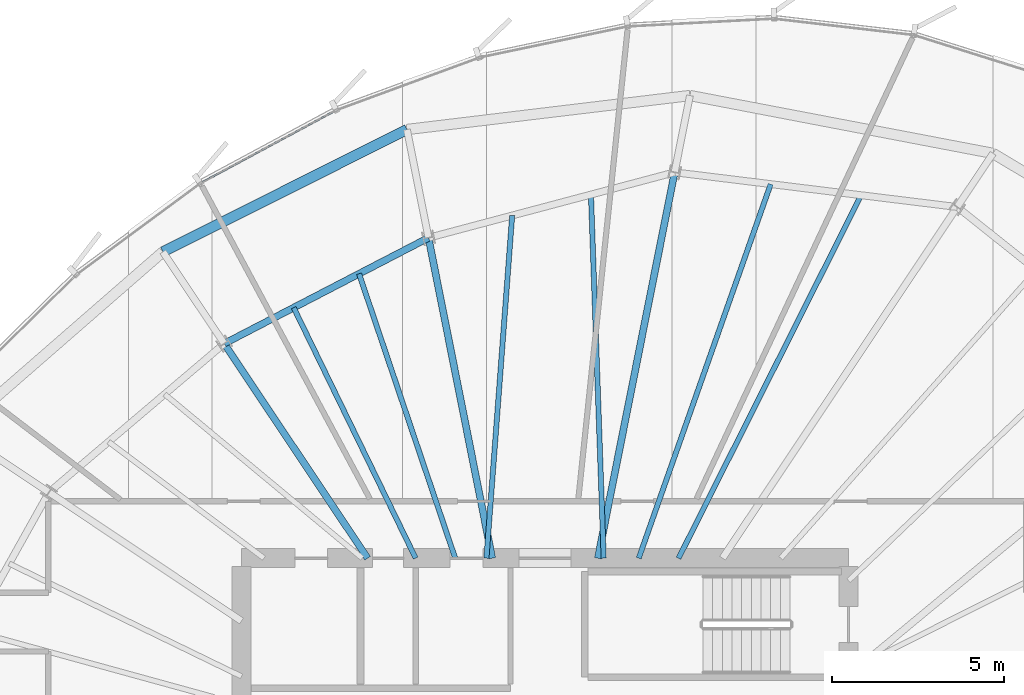
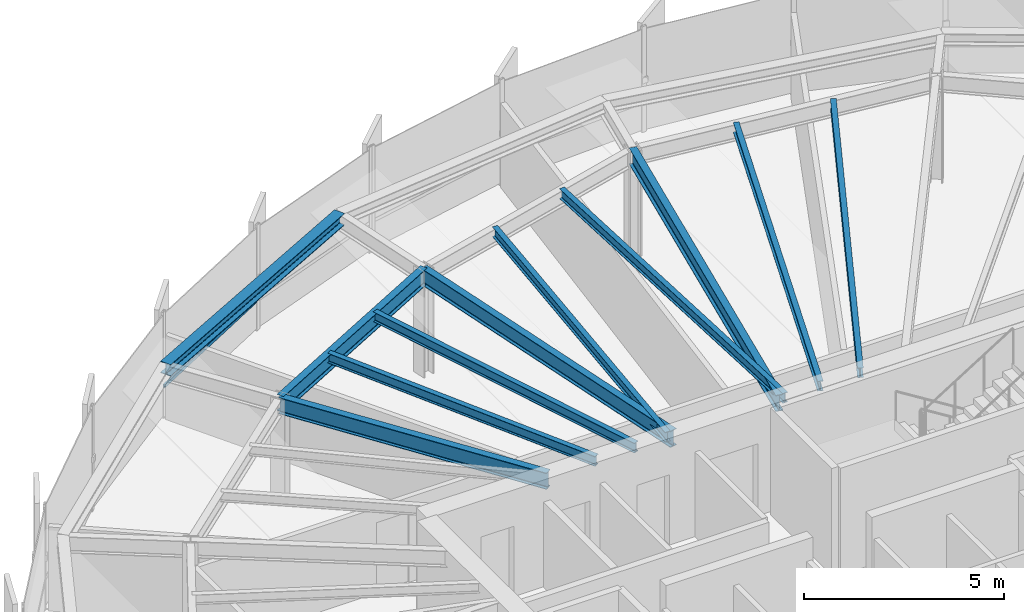
# One storey, part 23 of 36: 11 beams, 1 member, 1 element without a shape of its own.
"""IFC4 building model written with IfcOpenShell, lengths in metres."""

from ifc_helpers import new_model, si_unit, direction, frame, origin, origin_2d, place, context, subcontext, project, spatial, hollow_rectangle, i_section, extrude, source, transform, mapped, material, layer, layer_set, material_profile, profile_set, type_object, element, aggregate, save


model = new_model("IFC4")

# Units and contexts
model_context = context("Model", 3, precision=1e-05, world=origin(), true_north=direction((0.0, 1.0)))
body_context = subcontext(model_context, "Body", "Model", "MODEL_VIEW")
ifc_project = project(units=[si_unit("LENGTHUNIT", "METRE"), si_unit("AREAUNIT", "SQUARE_METRE"), si_unit("VOLUMEUNIT", "CUBIC_METRE"), si_unit("PLANEANGLEUNIT", "RADIAN"), si_unit("MASSUNIT", "GRAM", prefix="KILO"), si_unit("THERMODYNAMICTEMPERATUREUNIT", "KELVIN")], contexts=[model_context])

# Site, building, storey
site_placement = place(None, origin())
site = spatial("IfcSite", under=ifc_project, at=site_placement, CompositionType="ELEMENT")
building_placement = place(site_placement, origin())
building = spatial("IfcBuilding", under=site, at=building_placement, Name="Kethvar Cultural Tower", CompositionType="ELEMENT")
storey_placement = place(building_placement, frame((0.0, 0.0, 197.39990234375)))
storey = spatial("IfcBuildingStorey", under=building, at=storey_placement, Name="L51", CompositionType="ELEMENT", Elevation=197.39990234375)

# Beams
ifc_material_1 = material(Name="Steel S355J2", Category="steel")
ifc_material_profile_1 = material_profile(ifc_material_1, i_section(OverallWidth=0.199951171875, OverallDepth=0.5, WebThickness=0.01025390625, FlangeThickness=0.01611328125, FilletRadius=0.02099609375, at=origin_2d()), Name="Steel S355J2 — IPE500")
ifc_profile_set_1 = profile_set([ifc_material_profile_1], Name="Steel S355J2 — IPE500")
beam_type_1 = type_object("IfcBeamType", Name="BM-IPE500", PredefinedType="BEAM", material=ifc_profile_set_1)
shared_shape_1 = source(origin(), body_context, "Body", "SweptSolid", [
    extrude(i_section(OverallWidth=0.199951171875, OverallDepth=0.5, WebThickness=0.01025390625, FlangeThickness=0.01611328125, FilletRadius=0.02099609375, at=origin_2d()), origin(), (0.0, 0.0, 1.0), 11.40673828125),
])
beam_1_placement = place(storey_placement, frame((48.33154296875, 35.5, 3.008056640625), z_axis=(0.195091138918, 0.980785117911, 0.0), x_axis=(-0.980785117911, 0.195091138918, 0.0)))
element("IfcBeam", 1, at=beam_1_placement, inside=storey, type_object=beam_type_1, Name="L51 Primary Radial Beam RB-04", PredefinedType="BEAM", context=body_context, shape_type="MappedRepresentation", body=[
    mapped(shared_shape_1, transform((0.0, 0.0, 0.0), scale=1.0)),
])
shared_shape_2 = source(origin(), body_context, "Body", "SweptSolid", [
    extrude(i_section(OverallWidth=0.199951171875, OverallDepth=0.5, WebThickness=0.01025390625, FlangeThickness=0.01611328125, FilletRadius=0.02099609375, at=origin_2d()), origin(), (0.0, 0.0, 1.0), 9.47119140625),
])
beam_2_placement = place(storey_placement, frame((45.268310546875, 35.5, 3.008056640625), z_axis=(-0.195079990396, 0.980787335434, 0.0), x_axis=(-0.980787335434, -0.195079990396, 0.0)))
element("IfcBeam", 2, at=beam_2_placement, inside=storey, type_object=beam_type_1, Name="L51 Primary Radial Beam RB-05", PredefinedType="BEAM", context=body_context, shape_type="MappedRepresentation", body=[
    mapped(shared_shape_2, transform((0.0, 0.0, 0.0), scale=1.0)),
])
shared_shape_3 = source(origin(), body_context, "Body", "SweptSolid", [
    extrude(i_section(OverallWidth=0.199951171875, OverallDepth=0.5, WebThickness=0.01025390625, FlangeThickness=0.01611328125, FilletRadius=0.02099609375, at=origin_2d()), origin(), (0.0, 0.0, 1.0), 7.481201171875),
])
beam_3_placement = place(storey_placement, frame((41.655029296875, 35.5, 3.008056640625), z_axis=(-0.55555842186, 0.831477504146, 0.0), x_axis=(-0.831477504146, -0.55555842186, 0.0)))
element("IfcBeam", 3, at=beam_3_placement, inside=storey, type_object=beam_type_1, Name="L51 Primary Radial Beam RB-06", PredefinedType="BEAM", context=body_context, shape_type="MappedRepresentation", body=[
    mapped(shared_shape_3, transform((0.0, 0.0, 0.0), scale=1.0)),
])
ifc_material_profile_2 = material_profile(ifc_material_1, i_section(OverallWidth=0.14990234375, OverallDepth=0.300048828125, WebThickness=0.007080078125, FlangeThickness=0.0107421875, FilletRadius=0.014892578125, at=origin_2d()), Name="Steel S355J2 — IPE300")
ifc_profile_set_2 = profile_set([ifc_material_profile_2], Name="Steel S355J2 — IPE300")
beam_type_2 = type_object("IfcBeamType", Name="BM-J300", PredefinedType="JOIST", material=ifc_profile_set_2)
shared_shape_4 = source(origin(), body_context, "Body", "SweptSolid", [
    extrude(i_section(OverallWidth=0.14990234375, OverallDepth=0.300048828125, WebThickness=0.007080078125, FlangeThickness=0.0107421875, FilletRadius=0.014892578125, at=origin_2d()), origin(), (0.0, 0.0, 1.0), 11.77880859375),
])
beam_4_placement = place(storey_placement, frame((50.671630859375, 35.5, 3.108154296875), z_axis=(0.449218855458, 0.893421748057, 0.0), x_axis=(-0.893421748057, 0.449218855458, 0.0)))
element("IfcBeam", 4, at=beam_4_placement, inside=storey, type_object=beam_type_2, Name="L51 Composite Floor Joist J-03A", PredefinedType="JOIST", context=body_context, shape_type="MappedRepresentation", body=[
    mapped(shared_shape_4, transform((0.0, 0.0, 0.0), scale=1.0)),
])
shared_shape_5 = source(origin(), body_context, "Body", "SweptSolid", [
    extrude(i_section(OverallWidth=0.14990234375, OverallDepth=0.300048828125, WebThickness=0.007080078125, FlangeThickness=0.0107421875, FilletRadius=0.014892578125, at=origin_2d()), origin(), (0.0, 0.0, 1.0), 11.50048828125),
])
beam_5_placement = place(storey_placement, frame((49.51611328125, 35.5, 3.108154296875), z_axis=(0.332655768875, 0.943048322958, 0.0), x_axis=(-0.943048322958, 0.332655768875, 0.0)))
element("IfcBeam", 5, at=beam_5_placement, inside=storey, type_object=beam_type_2, Name="L51 Composite Floor Joist J-03B", PredefinedType="JOIST", context=body_context, shape_type="MappedRepresentation", body=[
    mapped(shared_shape_5, transform((0.0, 0.0, 0.0), scale=1.0)),
])
shared_shape_6 = source(origin(), body_context, "Body", "SweptSolid", [
    extrude(i_section(OverallWidth=0.14990234375, OverallDepth=0.300048828125, WebThickness=0.007080078125, FlangeThickness=0.0107421875, FilletRadius=0.014892578125, at=origin_2d()), origin(), (0.0, 0.0, 1.0), 10.54833984375),
])
beam_6_placement = place(storey_placement, frame((48.5, 35.5, 3.108154296875), z_axis=(-0.035017879941, 0.999386685965, 0.0), x_axis=(-0.999386685965, -0.035017879941, 0.0)))
element("IfcBeam", 6, at=beam_6_placement, inside=storey, type_object=beam_type_2, Name="L51 Composite Floor Joist J-04A", PredefinedType="JOIST", context=body_context, shape_type="MappedRepresentation", body=[
    mapped(shared_shape_6, transform((0.0, 0.0, 0.0), scale=1.0)),
])
shared_shape_7 = source(origin(), body_context, "Body", "SweptSolid", [
    extrude(i_section(OverallWidth=0.14990234375, OverallDepth=0.300048828125, WebThickness=0.007080078125, FlangeThickness=0.0107421875, FilletRadius=0.014892578125, at=origin_2d()), origin(), (0.0, 0.0, 1.0), 9.962646484375),
])
beam_7_placement = place(storey_placement, frame((45.10009765625, 35.5, 3.108154296875), z_axis=(0.074962964429, 0.99718631858, 0.0), x_axis=(-0.99718631858, 0.074962964429, 0.0)))
element("IfcBeam", 7, at=beam_7_placement, inside=storey, type_object=beam_type_2, Name="L51 Composite Floor Joist J-04B", PredefinedType="JOIST", context=body_context, shape_type="MappedRepresentation", body=[
    mapped(shared_shape_7, transform((0.0, 0.0, 0.0), scale=1.0)),
])
shared_shape_8 = source(origin(), body_context, "Body", "SweptSolid", [
    extrude(i_section(OverallWidth=0.199951171875, OverallDepth=0.5, WebThickness=0.01025390625, FlangeThickness=0.01611328125, FilletRadius=0.02099609375, at=origin_2d()), origin(), (0.0, 0.0, 1.0), 6.669921875),
])
beam_8_placement = place(storey_placement, frame((43.420654296875, 44.789306640625, 3.008056640625), z_axis=(-0.887861983948, -0.460109875421, 0.0), x_axis=(0.460109875421, -0.887861983948, 0.0)))
element("IfcBeam", 8, at=beam_8_placement, inside=storey, type_object=beam_type_1, Name="L51 Column Ring Tie Beam CR-05", PredefinedType="BEAM", context=body_context, shape_type="MappedRepresentation", body=[
    mapped(shared_shape_8, transform((0.0, 0.0, 0.0), scale=1.0)),
])
ifc_material_profile_3 = material_profile(ifc_material_1, i_section(OverallWidth=0.300048828125, OverallDepth=0.360107421875, WebThickness=0.012451171875, FlangeThickness=0.0224609375, FilletRadius=0.027099609375, at=origin_2d()), Name="Steel S355J2 — HEB360")
ifc_profile_set_3 = profile_set([ifc_material_profile_3], Name="Steel S355J2 — HEB360")
beam_type_3 = type_object("IfcBeamType", Name="BM-SP360", PredefinedType="SPANDREL", material=ifc_profile_set_3)
shared_shape_9 = source(origin(), body_context, "Body", "SweptSolid", [
    extrude(i_section(OverallWidth=0.300048828125, OverallDepth=0.360107421875, WebThickness=0.012451171875, FlangeThickness=0.0224609375, FilletRadius=0.027099609375, at=origin_2d()), origin(), (0.0, 0.0, 1.0), 7.91455078125),
])
beam_9_placement = place(storey_placement, frame((42.79638671875, 47.927734375, 3.078125), z_axis=(-0.893976371529, -0.44811410059, 0.0), x_axis=(0.44811410059, -0.893976371529, 0.0)))
element("IfcBeam", 9, at=beam_9_placement, inside=storey, type_object=beam_type_3, Name="L51 Perimeter Spandrel Beam SP-05", PredefinedType="SPANDREL", context=body_context, shape_type="MappedRepresentation", body=[
    mapped(shared_shape_9, transform((0.0, 0.0, 0.0), scale=1.0)),
])
shared_shape_10 = source(origin(), body_context, "Body", "SweptSolid", [
    extrude(i_section(OverallWidth=0.14990234375, OverallDepth=0.300048828125, WebThickness=0.007080078125, FlangeThickness=0.0107421875, FilletRadius=0.014892578125, at=origin_2d()), origin(), (0.0, 0.0, 1.0), 8.70458984375),
])
beam_10_placement = place(storey_placement, frame((44.19580078125, 35.5, 3.108154296875), z_axis=(-0.320356133074, 0.947297180404, 0.0), x_axis=(-0.947297180404, -0.320356133074, 0.0)))
element("IfcBeam", 10, at=beam_10_placement, inside=storey, type_object=beam_type_2, Name="L51 Composite Floor Joist J-05A", PredefinedType="JOIST", context=body_context, shape_type="MappedRepresentation", body=[
    mapped(shared_shape_10, transform((0.0, 0.0, 0.0), scale=1.0)),
])
shared_shape_11 = source(origin(), body_context, "Body", "SweptSolid", [
    extrude(i_section(OverallWidth=0.14990234375, OverallDepth=0.300048828125, WebThickness=0.007080078125, FlangeThickness=0.0107421875, FilletRadius=0.014892578125, at=origin_2d()), origin(), (0.0, 0.0, 1.0), 8.07958984375),
])
beam_11_placement = place(storey_placement, frame((43.0498046875, 35.5, 3.108154296875), z_axis=(-0.437846062021, 0.89904995744, 0.0), x_axis=(-0.89904995744, -0.437846062021, 0.0)))
element("IfcBeam", 11, at=beam_11_placement, inside=storey, type_object=beam_type_2, Name="L51 Composite Floor Joist J-05B", PredefinedType="JOIST", context=body_context, shape_type="MappedRepresentation", body=[
    mapped(shared_shape_11, transform((0.0, 0.0, 0.0), scale=1.0)),
])

# Curtain wall, member
ifc_material_2 = material(Name="Aluminium 6063-T6", Category="aluminium")
ifc_layer = layer(ifc_material_2, 0.179931640625, Name="Aluminium 6063-T6", Category="aluminium")
ifc_layer_set = layer_set([ifc_layer], Name="Aluminium 6063-T6 (180 mm)")
curtain_wall_type = type_object("IfcCurtainWallType", Name="CW-SYS-04-Z34", PredefinedType="NOTDEFINED", material=ifc_layer_set)
curtain_wall_placement = place(storey_placement, origin())
curtain_wall = element("IfcCurtainWall", 12, at=curtain_wall_placement, inside=storey, type_object=curtain_wall_type, Name="L51 Curtain Wall Run 02", PredefinedType="NOTDEFINED")
ifc_material_profile_4 = material_profile(ifc_material_2, hollow_rectangle(XDim=0.050048828125, YDim=0.10009765625, WallThickness=0.00390625, at=origin_2d()), Name="Aluminium 6063-T6 — RHS100x50x4")
ifc_profile_set_4 = profile_set([ifc_material_profile_4], Name="Aluminium 6063-T6 — RHS100x50x4")
member_type = type_object("IfcMemberType", Name="CW-SYS-04-Z34-TRN", PredefinedType="USERDEFINED", material=ifc_profile_set_4)
shared_shape_12 = source(origin(), body_context, "Body", "SweptSolid", [
    extrude(hollow_rectangle(XDim=0.050048828125, YDim=0.10009765625, WallThickness=0.00390625, at=origin_2d()), origin(), (0.0, 0.0, 1.0), 4.403564453125),
])
member_placement = place(storey_placement, frame((40.711181640625, 48.47119140625, 0.9501953125), z_axis=(-0.880513821514, -0.47402047437, 0.0), x_axis=(0.47402047437, -0.880513821514, 0.0)))
member = element("IfcMember", 13, at=member_placement, type_object=member_type, Name="CW-L51-R02 Transom 2", ObjectType="TRANSOM", PredefinedType="USERDEFINED", context=body_context, shape_type="MappedRepresentation", body=[
    mapped(shared_shape_12, transform((0.0, 0.0, 0.0), scale=1.0)),
])
aggregate(curtain_wall, [member])

save(model, "model.ifc")
